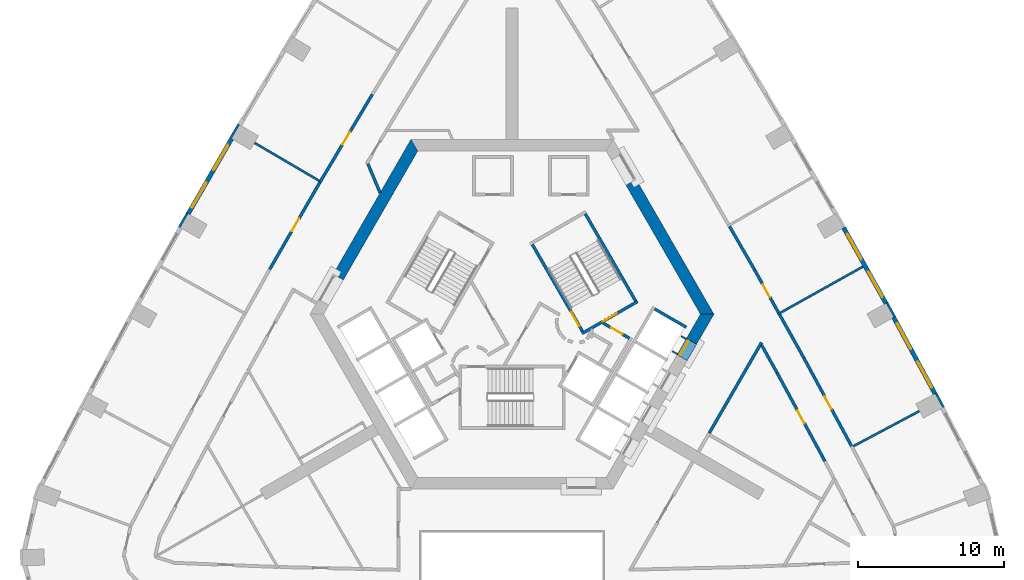
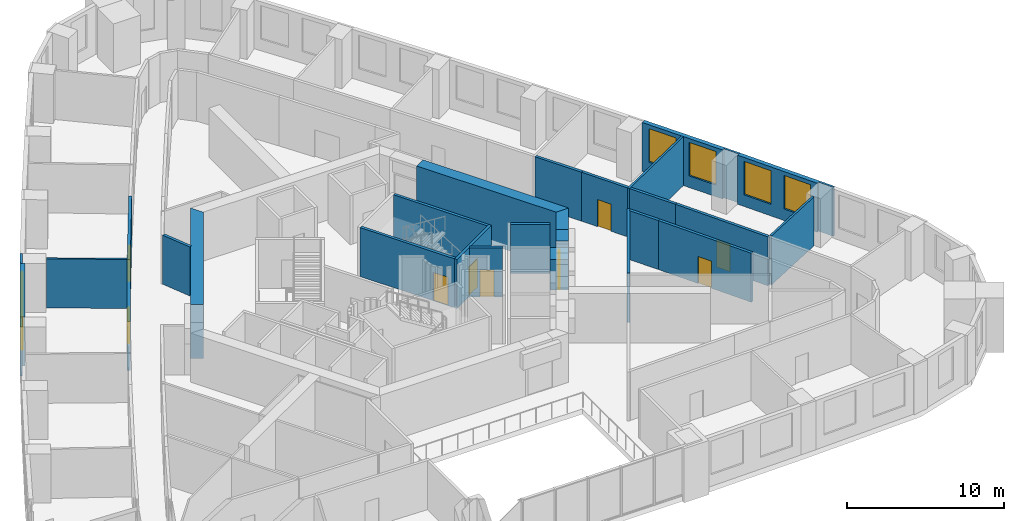
# One storey, part 8 of 12: 30 walls, 9 doors, 6 windows, 15 openings.
"""IFC4 building model written with IfcOpenShell, lengths in metres."""

from ifc_helpers import new_model, si_unit, direction, frame, frame_2d, origin, place, context, subcontext, project, spatial, polyline, rectangle, outline, extrude, material, layer, layer_set, type_object, element, fill, save


model = new_model("IFC4")

# Units and contexts
model_context = context("Model", 3, precision=1e-05, world=origin(), true_north=direction((0.0, 1.0)))
body_context = subcontext(model_context, "Body", "Model", "MODEL_VIEW")
ifc_project = project(units=[si_unit("LENGTHUNIT", "METRE"), si_unit("AREAUNIT", "SQUARE_METRE"), si_unit("VOLUMEUNIT", "CUBIC_METRE"), si_unit("PLANEANGLEUNIT", "RADIAN"), si_unit("MASSUNIT", "GRAM", prefix="KILO")], contexts=[model_context])

# Site, building, storey
site_placement = place(None, origin())
site = spatial("IfcSite", under=ifc_project, at=site_placement, CompositionType="ELEMENT")
building_placement = place(site_placement, origin())
building = spatial("IfcBuilding", under=site, at=building_placement, Name="Entoto Arch Interchange Tower", CompositionType="ELEMENT")
storey_placement = place(building_placement, frame((0.0, 0.0, 142.39990234375)))
storey = spatial("IfcBuildingStorey", under=building, at=storey_placement, Name="L31", CompositionType="ELEMENT", Elevation=142.39990234375)

# Walls
ifc_material_1 = material(Name="Concrete C50/60", Category="concrete")
ifc_layer_1 = layer(ifc_material_1, 0.800048828125)
ifc_layer_set_1 = layer_set([ifc_layer_1], Name="Concrete C50/60")
wall_type_1 = type_object("IfcWallType", Name="Core wall 800 C50/60", PredefinedType="SHEAR", material=ifc_layer_set_1)
wall_1_placement = place(storey_placement, frame((0.0, 0.0, -0.39990234375)))
element("IfcWall", 1, at=wall_1_placement, inside=storey, type_object=wall_type_1, Name="Core wall NE L31", PredefinedType="SHEAR", context=body_context, shape_type="SweptSolid", body=[
    extrude(outline(polyline([(8.51708984375, 11.748046875), (7.823974609375, 11.347900390625), (12.93310546875, 2.5), (13.85595703125, 2.5), (8.51708984375, 11.748046875)])), origin(), (0.0, 0.0, 1.0), 4.199951171875),
])
wall_2_placement = place(storey_placement, frame((0.0, 0.0, -0.39990234375)))
element("IfcWall", 2, at=wall_2_placement, inside=storey, type_object=wall_type_1, Name="Core wall NW L31", PredefinedType="SHEAR", context=body_context, shape_type="SweptSolid", body=[
    extrude(outline(polyline([(-12.26708984375, 5.251953125), (-11.574951171875, 4.85205078125), (-6.466064453125, 13.699951171875), (-6.927978515625, 14.5), (-12.26708984375, 5.251953125)])), origin(), (0.0, 0.0, 1.0), 4.199951171875),
])
wall_3_placement = place(storey_placement, frame((0.0, 0.0, -0.39990234375)))
element("IfcWall", 3, at=wall_3_placement, inside=storey, type_object=wall_type_1, Name="Core wall SE L31", PredefinedType="SHEAR", context=body_context, shape_type="SweptSolid", body=[
    extrude(outline(polyline([(11.97412109375, 0.840087890625), (12.6669921875, 0.43994140625), (13.85595703125, 2.5), (12.93310546875, 2.5), (11.97412109375, 0.840087890625)])), origin(), (0.0, 0.0, 1.0), 4.199951171875),
])
wall_4_placement = place(storey_placement, frame((0.0, 0.0, 3.60009765625)))
element("IfcWall", 4, at=wall_4_placement, inside=storey, type_object=wall_type_1, Name="Core wall lintel SE L31", PredefinedType="SHEAR", context=body_context, shape_type="SweptSolid", body=[
    extrude(outline(polyline([(12.6669921875, 0.43994140625), (11.97412109375, 0.840087890625), (11.323974609375, -0.285888671875), (12.01708984375, -0.68603515625), (12.6669921875, 0.43994140625)])), origin(), (0.0, 0.0, 1.0), 0.199951171875),
])

# Wall, opening, door
ifc_material_2 = material(Name="Concrete C40/50", Category="concrete")
ifc_layer_2 = layer(ifc_material_2, 1.199951171875)
ifc_layer_set_2 = layer_set([ifc_layer_2], Name="Concrete C40/50")
wall_type_2 = type_object("IfcWallType", Name="LIFT LANDING INFILL WALL", PredefinedType="STANDARD", material=ifc_layer_set_2)
wall_5_placement = place(storey_placement, frame((11.498046875, -0.385009765625, 0.0), z_axis=(0.0, 0.0, 1.0), x_axis=(0.500221244143, 0.865897630733, 0.0)))
wall_5 = element("IfcWall", 5, at=wall_5_placement, inside=storey, type_object=wall_type_2, Name="Lift landing infill wall LR8 L31", PredefinedType="STANDARD", context=body_context, shape_type="SweptSolid", body=[
    extrude(rectangle(XDim=1.29931640625, YDim=1.199951171875, at=frame_2d((0.649658203125, 0.0))), origin(), (0.0, 0.0, 1.0), 2.400146484375),
])
opening_1_placement = place(wall_5_placement, frame((0.10009765625, 0.0, 0.0)))
opening_1 = element("IfcOpeningElement", 6, at=opening_1_placement, cuts=wall_5, Name="Opening LD-LR8-L31", PredefinedType="OPENING", context=body_context, shape_type="SweptSolid", body=[
    extrude(rectangle(XDim=1.10009765625, YDim=2.300048828125, at=frame_2d((0.550048828125, 1.14990234375))), frame((0.0, 0.60986328125, 0.0), z_axis=(0.0, -1.0, 0.0), x_axis=(1.0, 0.0, 0.0)), (0.0, 0.0, 1.0), 1.219970703125),
])
ifc_material_3 = material(Name="Stainless steel 1.4301 panels", Category="steel")
door_type_1 = type_object("IfcDoorType", Name="LIFT LANDING DOOR LD2 1100x2300", OperationType="SLIDING_TO_LEFT", PredefinedType="DOOR", material=ifc_material_3)
door_1_placement = place(opening_1_placement, origin())
door_1 = element("IfcDoor", 7, at=door_1_placement, inside=storey, type_object=door_type_1, Name="Lift landing door LR8 L31", OperationType="SLIDING_TO_LEFT", OverallHeight=2.300048828125, OverallWidth=1.10009765625, PredefinedType="DOOR", context=body_context, shape_type="SweptSolid", body=[
    extrude(rectangle(XDim=1.10009765625, YDim=2.300048828125, at=frame_2d((0.550048828125, 1.14990234375))), frame((0.0, 0.02490234375, 0.0), z_axis=(0.0, -1.0, 0.0), x_axis=(1.0, 0.0, 0.0)), (0.0, 0.0, 1.0), 0.050048828125),
])
fill(opening_1, door_1)

# Walls
ifc_layer_3 = layer(ifc_material_2, 0.199951171875)
ifc_layer_set_3 = layer_set([ifc_layer_3], Name="Concrete C40/50")
wall_type_3 = type_object("IfcWallType", Name="LIFT SHAFT WALL 200", PredefinedType="STANDARD", material=ifc_layer_set_3)
wall_6_placement = place(storey_placement, frame((9.7880859375, 2.85302734375, 0.0), z_axis=(0.0, 0.0, 1.0), x_axis=(0.865998541277, -0.500046524342, 0.0)))
element("IfcWall", 8, at=wall_6_placement, inside=storey, type_object=wall_type_3, Name="Shaft wall SE3 cross 5", PredefinedType="STANDARD", context=body_context, shape_type="SweptSolid", body=[
    extrude(rectangle(XDim=2.499755859375, YDim=0.199951171875, at=frame_2d((1.25, 0.0))), origin(), (0.0, 0.0, 1.0), 3.800048828125),
])
ifc_material_4 = material(Name="Gypsum board partition on steel studs", Category="steel")
ifc_layer_4 = layer(ifc_material_4, 0.14990234375)
ifc_layer_set_4 = layer_set([ifc_layer_4], Name="Gypsum board partition on steel studs")
wall_type_4 = type_object("IfcWallType", Name="PARTITION 150", PredefinedType="PARTITIONING", material=ifc_layer_set_4)
wall_7_placement = place(storey_placement, frame((23.4169921875, -6.56005859375, 0.0), z_axis=(0.0, 0.0, 1.0), x_axis=(0.882784638588, 0.469777906967, 0.0)))
element("IfcWall", 9, at=wall_7_placement, inside=storey, type_object=wall_type_4, Name="wall:L31:p126", PredefinedType="PARTITIONING", context=body_context, shape_type="SweptSolid", body=[
    extrude(rectangle(XDim=5.13037109375, YDim=0.14990234375, at=frame_2d((2.565185546875, 0.0))), origin(), (0.0, 0.0, 1.0), 3.800048828125),
])
wall_8_placement = place(storey_placement, frame((18.23388671875, 2.4970703125, 0.0), z_axis=(0.0, 0.0, 1.0), x_axis=(0.872820235044, 0.4880418397, 0.0)))
element("IfcWall", 10, at=wall_8_placement, inside=storey, type_object=wall_type_4, Name="wall:L31:p127", PredefinedType="PARTITIONING", context=body_context, shape_type="SweptSolid", body=[
    extrude(rectangle(XDim=6.7001953125, YDim=0.14990234375, at=frame_2d((3.35009765625, 0.0))), origin(), (0.0, 0.0, 1.0), 3.800048828125),
])
wall_9_placement = place(storey_placement, frame((-13.23193359375, 11.656982421875, 0.0), z_axis=(0.0, 0.0, 1.0), x_axis=(-0.862663606034, 0.505778116197, 0.0)))
element("IfcWall", 11, at=wall_9_placement, inside=storey, type_object=wall_type_4, Name="wall:L31:p134", PredefinedType="PARTITIONING", context=body_context, shape_type="SweptSolid", body=[
    extrude(rectangle(XDim=5.130615234375, YDim=0.14990234375, at=frame_2d((2.5654296875, 0.0))), origin(), (0.0, 0.0, 1.0), 3.800048828125),
])
ifc_layer_5 = layer(ifc_material_4, 0.199951171875)
ifc_layer_set_5 = layer_set([ifc_layer_5], Name="Gypsum board partition on steel studs")
wall_type_5 = type_object("IfcWallType", Name="PARTITION 200", PredefinedType="PARTITIONING", material=ifc_layer_set_5)
wall_10_placement = place(storey_placement, frame((-9.886962890625, 12.81591796875, 0.0), z_axis=(0.0, 0.0, 1.0), x_axis=(0.388765037942, -0.921336933632, 0.0)))
element("IfcWall", 12, at=wall_10_placement, inside=storey, type_object=wall_type_5, Name="wall:L31:p002", PredefinedType="PARTITIONING", context=body_context, shape_type="SweptSolid", body=[
    extrude(rectangle(XDim=2.15771484375, YDim=0.199951171875, at=frame_2d((1.078857421875, 0.0))), origin(), (0.0, 0.0, 1.0), 3.800048828125),
])

# Wall, opening, door
wall_11_placement = place(storey_placement, frame((21.47509765625, -7.593994140625, 0.0), z_axis=(0.0, 0.0, 1.0), x_axis=(-0.475918691018, 0.879489283357, 0.0)))
wall_11 = element("IfcWall", 13, at=wall_11_placement, inside=storey, type_object=wall_type_5, Name="wall:L31:p016", PredefinedType="PARTITIONING", context=body_context, shape_type="SweptSolid", body=[
    extrude(rectangle(XDim=6.927978515625, YDim=0.199951171875, at=frame_2d((3.4638671875, 0.0))), origin(), (0.0, 0.0, 1.0), 3.800048828125),
])
opening_2_placement = place(wall_11_placement, frame((2.964111328125, 0.0, 0.0)))
opening_2 = element("IfcOpeningElement", 14, at=opening_2_placement, cuts=wall_11, Name="Opening L31-D20", PredefinedType="OPENING", context=body_context, shape_type="SweptSolid", body=[
    extrude(rectangle(XDim=1.0, YDim=2.10009765625, at=frame_2d((0.5, 1.050048828125))), frame((0.0, 0.10986328125, 0.0), z_axis=(0.0, -1.0, 0.0), x_axis=(1.0, 0.0, 0.0)), (0.0, 0.0, 1.0), 0.219970703125),
])
ifc_material_5 = material(Name="Timber door leaf in Steel S235 frame", Category="steel")
door_type_2 = type_object("IfcDoorType", Name="DOOR DS-10 1000x2100", OperationType="SINGLE_SWING_LEFT", PredefinedType="DOOR", material=ifc_material_5)
door_2_placement = place(opening_2_placement, origin())
door_2 = element("IfcDoor", 15, at=door_2_placement, inside=storey, type_object=door_type_2, Name="door:L31:20", OperationType="SINGLE_SWING_LEFT", OverallHeight=2.10009765625, OverallWidth=1.0, PredefinedType="DOOR", context=body_context, shape_type="SweptSolid", body=[
    extrude(rectangle(XDim=1.0, YDim=2.10009765625, at=frame_2d((0.5, 1.050048828125))), frame((0.0, 0.02490234375, 0.0), z_axis=(0.0, -1.0, 0.0), x_axis=(1.0, 0.0, 0.0)), (0.0, 0.0, 1.0), 0.050048828125),
])
fill(opening_2, door_2)

# Walls
wall_12_placement = place(storey_placement, frame((18.177978515625, -1.5009765625, 0.0), z_axis=(0.0, 0.0, 1.0), x_axis=(-0.487980809747, 0.872854357449, 0.0)))
element("IfcWall", 16, at=wall_12_placement, inside=storey, type_object=wall_type_5, Name="wall:L31:p017", PredefinedType="PARTITIONING", context=body_context, shape_type="SweptSolid", body=[
    extrude(rectangle(XDim=2.161865234375, YDim=0.199951171875, at=frame_2d((1.0810546875, 0.0))), origin(), (0.0, 0.0, 1.0), 3.800048828125),
])
wall_13_placement = place(storey_placement, frame((18.35791015625, 2.48095703125, 0.0), z_axis=(0.0, 0.0, 1.0), x_axis=(0.48792588674, -0.872885060617, 0.0)))
element("IfcWall", 17, at=wall_13_placement, inside=storey, type_object=wall_type_5, Name="wall:L31:p039", PredefinedType="PARTITIONING", context=body_context, shape_type="SweptSolid", body=[
    extrude(rectangle(XDim=3.402587890625, YDim=0.199951171875, at=frame_2d((1.701171875, 0.0))), origin(), (0.0, 0.0, 1.0), 3.800048828125),
])

# Wall, opening, door
wall_14_placement = place(storey_placement, frame((20.01806640625, -0.489013671875, 0.0), z_axis=(0.0, 0.0, 1.0), x_axis=(0.476025981828, -0.87943121654, 0.0)))
wall_14 = element("IfcWall", 18, at=wall_14_placement, inside=storey, type_object=wall_type_5, Name="wall:L31:p040", PredefinedType="PARTITIONING", context=body_context, shape_type="SweptSolid", body=[
    extrude(rectangle(XDim=6.8818359375, YDim=0.199951171875, at=frame_2d((3.44091796875, 0.0))), origin(), (0.0, 0.0, 1.0), 3.800048828125),
])
opening_3_placement = place(wall_14_placement, frame((3.01611328125, 0.0, 0.0)))
opening_3 = element("IfcOpeningElement", 19, at=opening_3_placement, cuts=wall_14, Name="Opening L31-D05", PredefinedType="OPENING", context=body_context, shape_type="SweptSolid", body=[
    extrude(rectangle(XDim=1.0, YDim=2.10009765625, at=frame_2d((0.5, 1.050048828125))), frame((0.0, 0.10986328125, 0.0), z_axis=(0.0, -1.0, 0.0), x_axis=(1.0, 0.0, 0.0)), (0.0, 0.0, 1.0), 0.219970703125),
])
door_3_placement = place(opening_3_placement, origin())
door_3 = element("IfcDoor", 20, at=door_3_placement, inside=storey, type_object=door_type_2, Name="door:L31:05", OperationType="SINGLE_SWING_LEFT", OverallHeight=2.10009765625, OverallWidth=1.0, PredefinedType="DOOR", context=body_context, shape_type="SweptSolid", body=[
    extrude(rectangle(XDim=1.0, YDim=2.10009765625, at=frame_2d((0.5, 1.050048828125))), frame((0.0, 0.02490234375, 0.0), z_axis=(0.0, -1.0, 0.0), x_axis=(1.0, 0.0, 0.0)), (0.0, 0.0, 1.0), 0.050048828125),
])
fill(opening_3, door_3)

# Wall
wall_15_placement = place(storey_placement, frame((14.922119140625, 8.529052734375, 0.0), z_axis=(0.0, 0.0, 1.0), x_axis=(0.500097109062, -0.865969330582, 0.0)))
element("IfcWall", 21, at=wall_15_placement, inside=storey, type_object=wall_type_5, Name="wall:L31:p041", PredefinedType="PARTITIONING", context=body_context, shape_type="SweptSolid", body=[
    extrude(rectangle(XDim=3.403076171875, YDim=0.199951171875, at=frame_2d((1.70166015625, 0.0))), origin(), (0.0, 0.0, 1.0), 3.800048828125),
])

# Wall, opening, door
wall_16_placement = place(storey_placement, frame((16.6240234375, 5.58203125, 0.0), z_axis=(0.0, 0.0, 1.0), x_axis=(0.487871212611, -0.872915620152, 0.0)))
wall_16 = element("IfcWall", 22, at=wall_16_placement, inside=storey, type_object=wall_type_5, Name="wall:L31:p042", PredefinedType="PARTITIONING", context=body_context, shape_type="SweptSolid", body=[
    extrude(rectangle(XDim=3.40234375, YDim=0.199951171875, at=frame_2d((1.701171875, 0.0))), origin(), (0.0, 0.0, 1.0), 3.800048828125),
])
opening_4_placement = place(wall_16_placement, frame((1.201904296875, 0.0, 0.0)))
opening_4 = element("IfcOpeningElement", 23, at=opening_4_placement, cuts=wall_16, Name="Opening L31-D06", PredefinedType="OPENING", context=body_context, shape_type="SweptSolid", body=[
    extrude(rectangle(XDim=1.0, YDim=2.10009765625, at=frame_2d((0.5, 1.050048828125))), frame((0.0, 0.10986328125, 0.0), z_axis=(0.0, -1.0, 0.0), x_axis=(1.0, 0.0, 0.0)), (0.0, 0.0, 1.0), 0.219970703125),
])
door_4_placement = place(opening_4_placement, origin())
door_4 = element("IfcDoor", 24, at=door_4_placement, inside=storey, type_object=door_type_2, Name="door:L31:06", OperationType="SINGLE_SWING_LEFT", OverallHeight=2.10009765625, OverallWidth=1.0, PredefinedType="DOOR", context=body_context, shape_type="SweptSolid", body=[
    extrude(rectangle(XDim=1.0, YDim=2.10009765625, at=frame_2d((0.5, 1.050048828125))), frame((0.0, 0.02490234375, 0.0), z_axis=(0.0, -1.0, 0.0), x_axis=(1.0, 0.0, 0.0)), (0.0, 0.0, 1.0), 0.050048828125),
])
fill(opening_4, door_4)

wall_17_placement = place(storey_placement, frame((-13.18408203125, 11.5419921875, 0.0), z_axis=(0.0, 0.0, 1.0), x_axis=(0.511847713534, 0.859076200433, 0.0)))
wall_17 = element("IfcWall", 25, at=wall_17_placement, inside=storey, type_object=wall_type_5, Name="wall:L31:p053", PredefinedType="PARTITIONING", context=body_context, shape_type="SweptSolid", body=[
    extrude(rectangle(XDim=7.02978515625, YDim=0.199951171875, at=frame_2d((3.514892578125, 0.0))), origin(), (0.0, 0.0, 1.0), 3.800048828125),
])
opening_5_placement = place(wall_17_placement, frame((3.014892578125, 0.0, 0.0)))
opening_5 = element("IfcOpeningElement", 26, at=opening_5_placement, cuts=wall_17, Name="Opening L31-D12", PredefinedType="OPENING", context=body_context, shape_type="SweptSolid", body=[
    extrude(rectangle(XDim=1.0, YDim=2.10009765625, at=frame_2d((0.5, 1.050048828125))), frame((0.0, 0.10986328125, 0.0), z_axis=(0.0, -1.0, 0.0), x_axis=(1.0, 0.0, 0.0)), (0.0, 0.0, 1.0), 0.219970703125),
])
door_5_placement = place(opening_5_placement, origin())
door_5 = element("IfcDoor", 27, at=door_5_placement, inside=storey, type_object=door_type_2, Name="door:L31:12", OperationType="SINGLE_SWING_RIGHT", OverallHeight=2.10009765625, OverallWidth=1.0, PredefinedType="DOOR", context=body_context, shape_type="SweptSolid", body=[
    extrude(rectangle(XDim=1.0, YDim=2.10009765625, at=frame_2d((0.5, 1.050048828125))), frame((0.0, 0.02490234375, 0.0), z_axis=(0.0, -1.0, 0.0), x_axis=(1.0, 0.0, 0.0)), (0.0, 0.0, 1.0), 0.050048828125),
])
fill(opening_5, door_5)

wall_18_placement = place(storey_placement, frame((-16.6240234375, 5.58203125, 0.0), z_axis=(0.0, 0.0, 1.0), x_axis=(0.499886250151, 0.866091067331, 0.0)))
wall_18 = element("IfcWall", 28, at=wall_18_placement, inside=storey, type_object=wall_type_5, Name="wall:L31:p056", PredefinedType="PARTITIONING", context=body_context, shape_type="SweptSolid", body=[
    extrude(rectangle(XDim=6.88134765625, YDim=0.199951171875, at=frame_2d((3.440673828125, 0.0))), origin(), (0.0, 0.0, 1.0), 3.800048828125),
])
opening_6_placement = place(wall_18_placement, frame((3.014892578125, 0.0, 0.0)))
opening_6 = element("IfcOpeningElement", 29, at=opening_6_placement, cuts=wall_18, Name="Opening L31-D13", PredefinedType="OPENING", context=body_context, shape_type="SweptSolid", body=[
    extrude(rectangle(XDim=1.0, YDim=2.10009765625, at=frame_2d((0.5, 1.050048828125))), frame((0.0, 0.10986328125, 0.0), z_axis=(0.0, -1.0, 0.0), x_axis=(1.0, 0.0, 0.0)), (0.0, 0.0, 1.0), 0.219970703125),
])
door_6_placement = place(opening_6_placement, origin())
door_6 = element("IfcDoor", 30, at=door_6_placement, inside=storey, type_object=door_type_2, Name="door:L31:13", OperationType="SINGLE_SWING_LEFT", OverallHeight=2.10009765625, OverallWidth=1.0, PredefinedType="DOOR", context=body_context, shape_type="SweptSolid", body=[
    extrude(rectangle(XDim=1.0, YDim=2.10009765625, at=frame_2d((0.5, 1.050048828125))), frame((0.0, 0.02490234375, 0.0), z_axis=(0.0, -1.0, 0.0), x_axis=(1.0, 0.0, 0.0)), (0.0, 0.0, 1.0), 0.050048828125),
])
fill(opening_6, door_6)

wall_19_placement = place(storey_placement, frame((6.25, 1.89404296875, 0.0), z_axis=(0.0, 0.0, 1.0), x_axis=(0.866043184279, -0.499969202016, 0.0)))
wall_19 = element("IfcWall", 31, at=wall_19_placement, inside=storey, type_object=wall_type_5, Name="wall:L31:p077", PredefinedType="PARTITIONING", context=body_context, shape_type="SweptSolid", body=[
    extrude(rectangle(XDim=2.084228515625, YDim=0.199951171875, at=frame_2d((1.0419921875, 0.0))), origin(), (0.0, 0.0, 1.0), 3.800048828125),
])
opening_7_placement = place(wall_19_placement, frame((0.64208984375, 0.0, 0.0)))
opening_7 = element("IfcOpeningElement", 32, at=opening_7_placement, cuts=wall_19, Name="Opening L31-D35", PredefinedType="OPENING", context=body_context, shape_type="SweptSolid", body=[
    extrude(rectangle(XDim=0.89990234375, YDim=2.10009765625, at=frame_2d((0.449951171875, 1.050048828125))), frame((0.0, 0.10986328125, 0.0), z_axis=(0.0, -1.0, 0.0), x_axis=(1.0, 0.0, 0.0)), (0.0, 0.0, 1.0), 0.219970703125),
])
door_type_3 = type_object("IfcDoorType", Name="DOOR DS-09 900x2100", OperationType="SINGLE_SWING_LEFT", PredefinedType="DOOR", material=ifc_material_5)
door_7_placement = place(opening_7_placement, origin())
door_7 = element("IfcDoor", 33, at=door_7_placement, inside=storey, type_object=door_type_3, Name="door:L31:35", OperationType="SINGLE_SWING_LEFT", OverallHeight=2.10009765625, OverallWidth=0.89990234375, PredefinedType="DOOR", context=body_context, shape_type="SweptSolid", body=[
    extrude(rectangle(XDim=0.89990234375, YDim=2.10009765625, at=frame_2d((0.449951171875, 1.050048828125))), frame((0.0, 0.02490234375, 0.0), z_axis=(0.0, -1.0, 0.0), x_axis=(1.0, 0.0, 0.0)), (0.0, 0.0, 1.0), 0.050048828125),
])
fill(opening_7, door_7)

# Wall
wall_20_placement = place(storey_placement, frame((17.1240234375, 0.56005859375, 0.0), z_axis=(0.0, 0.0, 1.0), x_axis=(-0.49996876383, -0.866043437245, 0.0)))
element("IfcWall", 34, at=wall_20_placement, inside=storey, type_object=wall_type_5, Name="wall:L31:p108", PredefinedType="PARTITIONING", context=body_context, shape_type="SweptSolid", body=[
    extrude(rectangle(XDim=7.1787109375, YDim=0.199951171875, at=frame_2d((3.58935546875, 0.0))), origin(), (0.0, 0.0, 1.0), 3.800048828125),
])

# Wall, opening, door
ifc_layer_6 = layer(ifc_material_2, 0.199951171875)
ifc_layer_set_6 = layer_set([ifc_layer_6], Name="Concrete C40/50")
wall_type_6 = type_object("IfcWallType", Name="STAIR ENCLOSURE WALL 200", PredefinedType="STANDARD", material=ifc_layer_set_6)
wall_21_placement = place(storey_placement, frame((4.805908203125, 1.176025390625, 0.0), z_axis=(0.0, 0.0, 1.0), x_axis=(0.866059941101, 0.499940174841, 0.0)))
wall_21 = element("IfcWall", 35, at=wall_21_placement, inside=storey, type_object=wall_type_6, Name="Stair wall ST-NE near", PredefinedType="STANDARD", context=body_context, shape_type="SweptSolid", body=[
    extrude(rectangle(XDim=4.400390625, YDim=0.199951171875, at=frame_2d((2.2001953125, 0.0))), origin(), (0.0, 0.0, 1.0), 3.800048828125),
])
opening_8_placement = place(wall_21_placement, frame((1.64990234375, 0.0, 0.0)))
opening_8 = element("IfcOpeningElement", 36, at=opening_8_placement, cuts=wall_21, Name="Opening SD-ST-NE-L31-E", PredefinedType="OPENING", context=body_context, shape_type="SweptSolid", body=[
    extrude(rectangle(XDim=1.10009765625, YDim=2.199951171875, at=frame_2d((0.550048828125, 1.10009765625))), frame((0.0, 0.10986328125, 0.0), z_axis=(0.0, -1.0, 0.0), x_axis=(1.0, 0.0, 0.0)), (0.0, 0.0, 1.0), 0.219970703125),
])
ifc_material_6 = material(Name="Steel S235", Category="steel")
door_type_4 = type_object("IfcDoorType", Name="STAIR DOOR SD1 1100x2200", OperationType="SINGLE_SWING_LEFT", PredefinedType="DOOR", material=ifc_material_6)
door_8_placement = place(opening_8_placement, origin())
door_8 = element("IfcDoor", 37, at=door_8_placement, inside=storey, type_object=door_type_4, Name="Stair door ST-NE L31 end", OperationType="SINGLE_SWING_LEFT", OverallHeight=2.199951171875, OverallWidth=1.10009765625, PredefinedType="DOOR", context=body_context, shape_type="SweptSolid", body=[
    extrude(rectangle(XDim=1.10009765625, YDim=2.199951171875, at=frame_2d((0.550048828125, 1.10009765625))), frame((0.0, 0.02490234375, 0.0), z_axis=(0.0, -1.0, 0.0), x_axis=(1.0, 0.0, 0.0)), (0.0, 0.0, 1.0), 0.050048828125),
])
fill(opening_8, door_8)

wall_22_placement = place(storey_placement, frame((4.843017578125, 1.31201171875, 0.0), z_axis=(0.0, 0.0, 1.0), x_axis=(-0.499963383562, 0.866046543262, 0.0)))
wall_22 = element("IfcWall", 38, at=wall_22_placement, inside=storey, type_object=wall_type_6, Name="Stair wall ST-NE hall", PredefinedType="STANDARD", context=body_context, shape_type="SweptSolid", body=[
    extrude(rectangle(XDim=6.900390625, YDim=0.199951171875, at=frame_2d((3.4501953125, 0.0))), origin(), (0.0, 0.0, 1.0), 3.800048828125),
])
opening_9_placement = place(wall_22_placement, frame((0.449951171875, 0.0, 0.0)))
opening_9 = element("IfcOpeningElement", 39, at=opening_9_placement, cuts=wall_22, Name="Opening SD-ST-NE-L31", PredefinedType="OPENING", context=body_context, shape_type="SweptSolid", body=[
    extrude(rectangle(XDim=1.10009765625, YDim=2.199951171875, at=frame_2d((0.550048828125, 1.10009765625))), frame((0.0, 0.10986328125, 0.0), z_axis=(0.0, -1.0, 0.0), x_axis=(1.0, 0.0, 0.0)), (0.0, 0.0, 1.0), 0.219970703125),
])
door_9_placement = place(opening_9_placement, origin())
door_9 = element("IfcDoor", 40, at=door_9_placement, inside=storey, type_object=door_type_4, Name="Stair door ST-NE L31", OperationType="SINGLE_SWING_LEFT", OverallHeight=2.199951171875, OverallWidth=1.10009765625, PredefinedType="DOOR", context=body_context, shape_type="SweptSolid", body=[
    extrude(rectangle(XDim=1.10009765625, YDim=2.199951171875, at=frame_2d((0.550048828125, 1.10009765625))), frame((0.0, 0.02490234375, 0.0), z_axis=(0.0, -1.0, 0.0), x_axis=(1.0, 0.0, 0.0)), (0.0, 0.0, 1.0), 0.050048828125),
])
fill(opening_9, door_9)

# Wall
wall_23_placement = place(storey_placement, frame((8.47998046875, 3.412109375, 0.0), z_axis=(0.0, 0.0, 1.0), x_axis=(-0.499978703459, 0.866037698999, 0.0)))
element("IfcWall", 41, at=wall_23_placement, inside=storey, type_object=wall_type_6, Name="Stair wall ST-NE back", PredefinedType="STANDARD", context=body_context, shape_type="SweptSolid", body=[
    extrude(rectangle(XDim=6.900146484375, YDim=0.199951171875, at=frame_2d((3.4501953125, 0.0))), origin(), (0.0, 0.0, 1.0), 3.800048828125),
])

# Wall, openings, windows
ifc_material_7 = material(Name="Welded tuff (ignimbrite) cladding, warm buff", Category="masonry")
ifc_layer_7 = layer(ifc_material_7, 0.300048828125)
ifc_layer_set_7 = layer_set([ifc_layer_7], Name="Welded tuff (ignimbrite) cladding, warm buff")
wall_type_7 = type_object("IfcWallType", Name="STONE INFILL WALL 300", PredefinedType="STANDARD", material=ifc_layer_set_7)
wall_24_placement = place(storey_placement, frame((29.02587890625, -2.952880859375, 0.0), z_axis=(0.0, 0.0, 1.0), x_axis=(-0.475794135288, 0.87955667289, 0.0)))
wall_24 = element("IfcWall", 42, at=wall_24_placement, inside=storey, type_object=wall_type_7, Name="Facade wall NE-02 L31", PredefinedType="STANDARD", context=body_context, shape_type="SweptSolid", body=[
    extrude(rectangle(XDim=5.95166015625, YDim=0.300048828125, at=frame_2d((2.975830078125, 0.0))), origin(), (0.0, 0.0, 1.0), 3.800048828125),
])
opening_10_placement = place(wall_24_placement, frame((0.488037109375, 0.0, 0.89990234375)))
opening_10 = element("IfcOpeningElement", 43, at=opening_10_placement, cuts=wall_24, Name="Opening WO-C", PredefinedType="OPENING", context=body_context, shape_type="SweptSolid", body=[
    extrude(rectangle(XDim=2.0, YDim=2.60009765625, at=frame_2d((1.0, 1.300048828125))), frame((0.0, 0.16015625, 0.0), z_axis=(0.0, -1.0, 0.0), x_axis=(1.0, 0.0, 0.0)), (0.0, 0.0, 1.0), 0.320068359375),
])
opening_11_placement = place(wall_24_placement, frame((3.464111328125, 0.0, 0.89990234375)))
opening_11 = element("IfcOpeningElement", 44, at=opening_11_placement, cuts=wall_24, Name="Opening WO-C", PredefinedType="OPENING", context=body_context, shape_type="SweptSolid", body=[
    extrude(rectangle(XDim=2.0, YDim=2.60009765625, at=frame_2d((1.0, 1.300048828125))), frame((0.0, 0.16015625, 0.0), z_axis=(0.0, -1.0, 0.0), x_axis=(1.0, 0.0, 0.0)), (0.0, 0.0, 1.0), 0.320068359375),
])
ifc_material_8 = material(Name="Clear glass, low-e double glazed", Category="glass")
window_type = type_object("IfcWindowType", Name="WINDOW WO-C 2000x2600", PartitioningType="DOUBLE_PANEL_VERTICAL", PredefinedType="WINDOW", material=ifc_material_8)
window_1_placement = place(opening_10_placement, origin())
window_1 = element("IfcWindow", 45, at=window_1_placement, inside=storey, type_object=window_type, Name="Window WO-C NE-02 L31", OverallHeight=2.60009765625, OverallWidth=2.0, PartitioningType="SINGLE_PANEL", PredefinedType="WINDOW", context=body_context, shape_type="SweptSolid", body=[
    extrude(rectangle(XDim=2.0, YDim=2.60009765625, at=frame_2d((1.0, 1.300048828125))), frame((0.0, 0.030029296875, 0.0), z_axis=(0.0, -1.0, 0.0), x_axis=(1.0, 0.0, 0.0)), (0.0, 0.0, 1.0), 0.06005859375),
])
fill(opening_10, window_1)
window_2_placement = place(opening_11_placement, origin())
window_2 = element("IfcWindow", 46, at=window_2_placement, inside=storey, type_object=window_type, Name="Window WO-C NE-02 L31", OverallHeight=2.60009765625, OverallWidth=2.0, PartitioningType="SINGLE_PANEL", PredefinedType="WINDOW", context=body_context, shape_type="SweptSolid", body=[
    extrude(rectangle(XDim=2.0, YDim=2.60009765625, at=frame_2d((1.0, 1.300048828125))), frame((0.0, 0.030029296875, 0.0), z_axis=(0.0, -1.0, 0.0), x_axis=(1.0, 0.0, 0.0)), (0.0, 0.0, 1.0), 0.06005859375),
])
fill(opening_11, window_2)

wall_25_placement = place(storey_placement, frame((25.6650390625, 3.243896484375, 0.0), z_axis=(0.0, 0.0, 1.0), x_axis=(-0.488009846284, 0.872838123555, 0.0)))
wall_25 = element("IfcWall", 47, at=wall_25_placement, inside=storey, type_object=wall_type_7, Name="Facade wall NE-03 L31", PredefinedType="STANDARD", context=body_context, shape_type="SweptSolid", body=[
    extrude(rectangle(XDim=5.950927734375, YDim=0.300048828125, at=frame_2d((2.9755859375, 0.0))), origin(), (0.0, 0.0, 1.0), 3.800048828125),
])
opening_12_placement = place(wall_25_placement, frame((0.488037109375, 0.0, 0.89990234375)))
opening_12 = element("IfcOpeningElement", 48, at=opening_12_placement, cuts=wall_25, Name="Opening WO-C", PredefinedType="OPENING", context=body_context, shape_type="SweptSolid", body=[
    extrude(rectangle(XDim=2.0, YDim=2.60009765625, at=frame_2d((1.0, 1.300048828125))), frame((0.0, 0.16015625, 0.0), z_axis=(0.0, -1.0, 0.0), x_axis=(1.0, 0.0, 0.0)), (0.0, 0.0, 1.0), 0.320068359375),
])
opening_13_placement = place(wall_25_placement, frame((3.462890625, 0.0, 0.89990234375)))
opening_13 = element("IfcOpeningElement", 49, at=opening_13_placement, cuts=wall_25, Name="Opening WO-C", PredefinedType="OPENING", context=body_context, shape_type="SweptSolid", body=[
    extrude(rectangle(XDim=2.0, YDim=2.60009765625, at=frame_2d((1.0, 1.300048828125))), frame((0.0, 0.16015625, 0.0), z_axis=(0.0, -1.0, 0.0), x_axis=(1.0, 0.0, 0.0)), (0.0, 0.0, 1.0), 0.320068359375),
])
window_3_placement = place(opening_12_placement, origin())
window_3 = element("IfcWindow", 50, at=window_3_placement, inside=storey, type_object=window_type, Name="Window WO-C NE-03 L31", OverallHeight=2.60009765625, OverallWidth=2.0, PartitioningType="SINGLE_PANEL", PredefinedType="WINDOW", context=body_context, shape_type="SweptSolid", body=[
    extrude(rectangle(XDim=2.0, YDim=2.60009765625, at=frame_2d((1.0, 1.300048828125))), frame((0.0, 0.030029296875, 0.0), z_axis=(0.0, -1.0, 0.0), x_axis=(1.0, 0.0, 0.0)), (0.0, 0.0, 1.0), 0.06005859375),
])
fill(opening_12, window_3)
window_4_placement = place(opening_13_placement, origin())
window_4 = element("IfcWindow", 51, at=window_4_placement, inside=storey, type_object=window_type, Name="Window WO-C NE-03 L31", OverallHeight=2.60009765625, OverallWidth=2.0, PartitioningType="SINGLE_PANEL", PredefinedType="WINDOW", context=body_context, shape_type="SweptSolid", body=[
    extrude(rectangle(XDim=2.0, YDim=2.60009765625, at=frame_2d((1.0, 1.300048828125))), frame((0.0, 0.030029296875, 0.0), z_axis=(0.0, -1.0, 0.0), x_axis=(1.0, 0.0, 0.0)), (0.0, 0.0, 1.0), 0.06005859375),
])
fill(opening_13, window_4)

wall_26_placement = place(storey_placement, frame((-19.242919921875, 14.5458984375, 0.0), z_axis=(0.0, 0.0, 1.0), x_axis=(-0.49994263896, -0.866058518664, 0.0)))
wall_26 = element("IfcWall", 52, at=wall_26_placement, inside=storey, type_object=wall_type_7, Name="Facade wall NW-04 L31", PredefinedType="STANDARD", context=body_context, shape_type="SweptSolid", body=[
    extrude(rectangle(XDim=5.950927734375, YDim=0.300048828125, at=frame_2d((2.9755859375, 0.0))), origin(), (0.0, 0.0, 1.0), 3.800048828125),
])
opening_14_placement = place(wall_26_placement, frame((0.488037109375, 0.0, 0.89990234375)))
opening_14 = element("IfcOpeningElement", 53, at=opening_14_placement, cuts=wall_26, Name="Opening WO-C", PredefinedType="OPENING", context=body_context, shape_type="SweptSolid", body=[
    extrude(rectangle(XDim=2.0, YDim=2.60009765625, at=frame_2d((1.0, 1.300048828125))), frame((0.0, 0.16015625, 0.0), z_axis=(0.0, -1.0, 0.0), x_axis=(1.0, 0.0, 0.0)), (0.0, 0.0, 1.0), 0.320068359375),
])
opening_15_placement = place(wall_26_placement, frame((3.462890625, 0.0, 0.89990234375)))
opening_15 = element("IfcOpeningElement", 54, at=opening_15_placement, cuts=wall_26, Name="Opening WO-C", PredefinedType="OPENING", context=body_context, shape_type="SweptSolid", body=[
    extrude(rectangle(XDim=2.0, YDim=2.60009765625, at=frame_2d((1.0, 1.300048828125))), frame((0.0, 0.16015625, 0.0), z_axis=(0.0, -1.0, 0.0), x_axis=(1.0, 0.0, 0.0)), (0.0, 0.0, 1.0), 0.320068359375),
])
window_5_placement = place(opening_14_placement, origin())
window_5 = element("IfcWindow", 55, at=window_5_placement, inside=storey, type_object=window_type, Name="Window WO-C NW-04 L31", OverallHeight=2.60009765625, OverallWidth=2.0, PartitioningType="SINGLE_PANEL", PredefinedType="WINDOW", context=body_context, shape_type="SweptSolid", body=[
    extrude(rectangle(XDim=2.0, YDim=2.60009765625, at=frame_2d((1.0, 1.300048828125))), frame((0.0, 0.030029296875, 0.0), z_axis=(0.0, -1.0, 0.0), x_axis=(1.0, 0.0, 0.0)), (0.0, 0.0, 1.0), 0.06005859375),
])
fill(opening_14, window_5)
window_6_placement = place(opening_15_placement, origin())
window_6 = element("IfcWindow", 56, at=window_6_placement, inside=storey, type_object=window_type, Name="Window WO-C NW-04 L31", OverallHeight=2.60009765625, OverallWidth=2.0, PartitioningType="SINGLE_PANEL", PredefinedType="WINDOW", context=body_context, shape_type="SweptSolid", body=[
    extrude(rectangle(XDim=2.0, YDim=2.60009765625, at=frame_2d((1.0, 1.300048828125))), frame((0.0, 0.030029296875, 0.0), z_axis=(0.0, -1.0, 0.0), x_axis=(1.0, 0.0, 0.0)), (0.0, 0.0, 1.0), 0.06005859375),
])
fill(opening_15, window_6)

# Walls
ifc_layer_8 = layer(ifc_material_7, 0.14990234375)
ifc_layer_set_8 = layer_set([ifc_layer_8], Name="Welded tuff (ignimbrite) cladding, warm buff")
wall_type_8 = type_object("IfcWallType", Name="STONE PIER CLADDING 150", PredefinedType="STANDARD", material=ifc_layer_set_8)
for number, where, z_axis, x_axis, name in (
    (57, (29.612060546875, -3.885986328125, 0.0), (0.0, 0.0, 1.0), (-0.470058271093, 0.88263538439, 0.0), "Stone pier NE02 L31"),
    (58, (26.262939453125, 2.319091796875, 0.0), (0.0, 0.0, 1.0), (-0.481850587491, 0.876253394478, 0.0), "Stone pier NE03 L31"),
):
    element("IfcWall", number, at=place(storey_placement, frame(where, z_axis=z_axis, x_axis=x_axis)), inside=storey, type_object=wall_type_8, Name=name, PredefinedType="STANDARD", context=body_context, shape_type="SweptSolid", body=[
        extrude(rectangle(XDim=1.10009765625, YDim=0.14990234375, at=frame_2d((0.550048828125, 0.0))), origin(), (0.0, 0.0, 1.0), 3.800048828125),
    ])
wall_27_placement = place(storey_placement, frame((-18.7548828125, 15.532958984375, 0.0), z_axis=(0.0, 0.0, 1.0), x_axis=(-0.50667077411, -0.862139621327, 0.0)))
element("IfcWall", 59, at=wall_27_placement, inside=storey, type_object=wall_type_8, Name="Stone pier NW04 L31", PredefinedType="STANDARD", context=body_context, shape_type="SweptSolid", body=[
    extrude(rectangle(XDim=1.099609375, YDim=0.14990234375, at=frame_2d((0.5498046875, 0.0))), origin(), (0.0, 0.0, 1.0), 3.800048828125),
])
wall_28_placement = place(storey_placement, frame((-22.285888671875, 9.431884765625, 0.0), z_axis=(0.0, 0.0, 1.0), x_axis=(-0.494775760346, -0.869020682708, 0.0)))
element("IfcWall", 60, at=wall_28_placement, inside=storey, type_object=wall_type_8, Name="Stone pier NW05 L31", PredefinedType="STANDARD", context=body_context, shape_type="SweptSolid", body=[
    extrude(rectangle(XDim=1.099853515625, YDim=0.14990234375, at=frame_2d((0.5498046875, 0.0))), origin(), (0.0, 0.0, 1.0), 3.800048828125),
])

save(model, "model.ifc")
